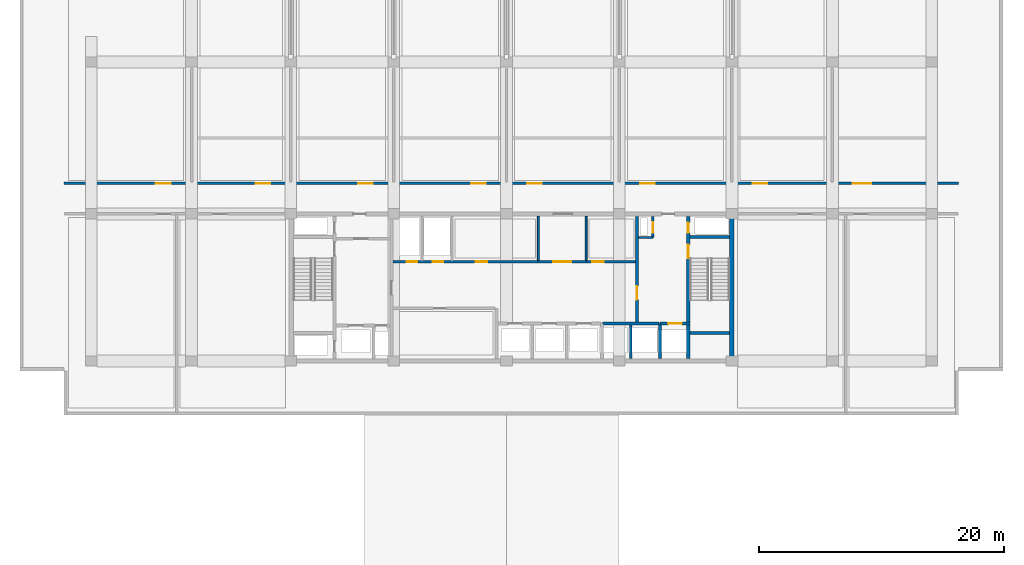
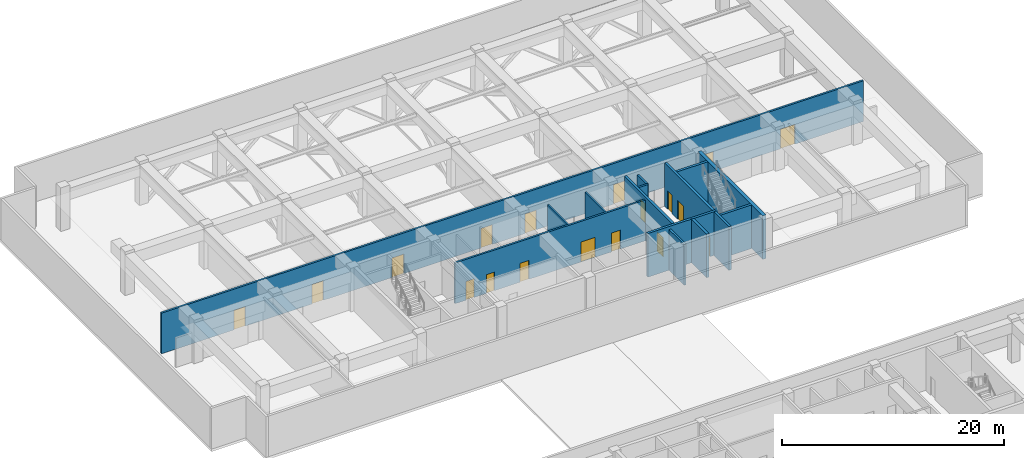
# One storey, part 12 of 22: 18 doors, 15 walls, 18 openings.
"""IFC4 building model written with IfcOpenShell, lengths in metres."""

from ifc_helpers import new_model, si_unit, direction, frame, frame_2d, origin, place, context, subcontext, project, spatial, rectangle, extrude, material, layer, layer_set, type_object, element, fill, save


model = new_model("IFC4")

# Units and contexts
model_context = context("Model", 3, precision=1e-05, world=origin(), true_north=direction((0.0, 1.0)))
body_context = subcontext(model_context, "Body", "Model", "MODEL_VIEW")
ifc_project = project(units=[si_unit("LENGTHUNIT", "METRE"), si_unit("AREAUNIT", "SQUARE_METRE"), si_unit("VOLUMEUNIT", "CUBIC_METRE"), si_unit("PLANEANGLEUNIT", "RADIAN"), si_unit("MASSUNIT", "GRAM", prefix="KILO")], contexts=[model_context])

# Site, building, storey
site_placement = place(None, origin())
site = spatial("IfcSite", under=ifc_project, at=site_placement, CompositionType="ELEMENT")
building_placement = place(site_placement, origin())
building = spatial("IfcBuilding", under=site, at=building_placement, Name="Korimba Cascade Residences", CompositionType="ELEMENT")
storey_placement = place(building_placement, frame((0.0, 0.0, 157.300048828125)))
storey = spatial("IfcBuildingStorey", under=building, at=storey_placement, Name="L45", CompositionType="ELEMENT", Elevation=157.300048828125)

# Walls
ifc_material_1 = material(Name="Concrete C65/80", Category="concrete")
ifc_layer_1 = layer(ifc_material_1, 0.35009765625)
ifc_layer_set_1 = layer_set([ifc_layer_1], Name="Concrete C65/80")
wall_type_1 = type_object("IfcWallType", Name="WAL-CORE-350", PredefinedType="SHEAR", material=ifc_layer_set_1)
wall_1_placement = place(storey_placement, frame((112.074951171875, 55.375, 0.0), z_axis=(0.0, 0.0, 1.0), x_axis=(0.0, 1.0, 0.0)))
element("IfcWall", 1, at=wall_1_placement, inside=storey, type_object=wall_type_1, Name="L45 Core Shear Wall CW-L45-T1-E", PredefinedType="SHEAR", context=body_context, shape_type="SweptSolid", body=[
    extrude(rectangle(XDim=11.64990234375, YDim=0.35009765625, at=frame_2d((5.824951171875, 0.0))), origin(), (0.0, 0.0, 1.0), 4.800048828125),
])
ifc_material_2 = material(Name="Insulated Acoustic Stud Partition", Category="gypsum")
ifc_layer_2 = layer(ifc_material_2, 0.14990234375)
ifc_layer_set_2 = layer_set([ifc_layer_2], Name="Insulated Acoustic Stud Partition")
wall_type_2 = type_object("IfcWallType", Name="WAL-PART-150", PredefinedType="PARTITIONING", material=ifc_layer_set_2)
for number, where, z_axis, x_axis, name in (
    (2, (96.300048828125, 63.39990234375, 0.0), (0.0, 0.0, 1.0), (0.0, 1.0, 0.0), "L45 Partition Wall CW-L45-T1-THW"),
    (3, (100.199951171875, 63.39990234375, 0.0), (0.0, 0.0, 1.0), (0.0, 1.0, 0.0), "L45 Partition Wall CW-L45-T1-THE"),
):
    element("IfcWall", number, at=place(storey_placement, frame(where, z_axis=z_axis, x_axis=x_axis)), inside=storey, type_object=wall_type_2, Name=name, PredefinedType="PARTITIONING", context=body_context, shape_type="SweptSolid", body=[
        extrude(rectangle(XDim=3.60009765625, YDim=0.14990234375, at=frame_2d((1.800048828125, 0.0))), origin(), (0.0, 0.0, 1.0), 4.47998046875),
    ])
ifc_material_3 = material(Name="Concrete C40/50", Category="concrete")
ifc_layer_3 = layer(ifc_material_3, 0.199951171875)
ifc_layer_set_3 = layer_set([ifc_layer_3], Name="Concrete C40/50")
wall_type_3 = type_object("IfcWallType", Name="WAL-PART-200", PredefinedType="PARTITIONING", material=ifc_layer_set_3)
wall_2_placement = place(storey_placement, frame((103.85009765625, 55.39990234375, 0.0), z_axis=(0.0, 0.0, 1.0), x_axis=(0.0, 1.0, 0.0)))
element("IfcWall", 4, at=wall_2_placement, inside=storey, type_object=wall_type_3, Name="L45 Partition Wall CW-L45-T1-B3D1", PredefinedType="PARTITIONING", context=body_context, shape_type="SweptSolid", body=[
    extrude(rectangle(XDim=2.72021484375, YDim=0.199951171875, at=frame_2d((1.360107421875, 0.0))), origin(), (0.0, 0.0, 1.0), 4.47998046875),
])

# Wall, openings, doors
wall_3_placement = place(storey_placement, frame((84.419921875, 63.300048828125, 0.0), z_axis=(0.0, 0.0, 1.0), x_axis=(1.0, 0.0, 0.0)))
wall_3 = element("IfcWall", 5, at=wall_3_placement, inside=storey, type_object=wall_type_3, Name="L45 Partition Wall CW-L45-T1-SRVROW", PredefinedType="PARTITIONING", context=body_context, shape_type="SweptSolid", body=[
    extrude(rectangle(XDim=19.830078125, YDim=0.199951171875, at=frame_2d((9.9150390625, 0.0))), origin(), (0.0, 0.0, 1.0), 4.47998046875),
])
opening_1_placement = place(wall_3_placement, frame((1.14990234375, 0.0, 0.0)))
opening_1 = element("IfcOpeningElement", 6, at=opening_1_placement, cuts=wall_3, Name="Opening D-RS1", PredefinedType="OPENING", context=body_context, shape_type="SweptSolid", body=[
    extrude(rectangle(XDim=0.85009765625, YDim=2.050048828125, at=frame_2d((0.425048828125, 1.02490234375))), frame((0.0, 0.10986328125, 0.0), z_axis=(0.0, -1.0, 0.0), x_axis=(1.0, 0.0, 0.0)), (0.0, 0.0, 1.0), 0.219970703125),
])
opening_2_placement = place(wall_3_placement, frame((3.25, 0.0, 0.0)))
opening_2 = element("IfcOpeningElement", 7, at=opening_2_placement, cuts=wall_3, Name="Opening D-RS1", PredefinedType="OPENING", context=body_context, shape_type="SweptSolid", body=[
    extrude(rectangle(XDim=0.85009765625, YDim=2.050048828125, at=frame_2d((0.425048828125, 1.02490234375))), frame((0.0, 0.10986328125, 0.0), z_axis=(0.0, -1.0, 0.0), x_axis=(1.0, 0.0, 0.0)), (0.0, 0.0, 1.0), 0.219970703125),
])
opening_3_placement = place(wall_3_placement, frame((13.080078125, 0.0, 0.0)))
opening_3 = element("IfcOpeningElement", 8, at=opening_3_placement, cuts=wall_3, Name="Opening D-FD8", PredefinedType="OPENING", context=body_context, shape_type="SweptSolid", body=[
    extrude(rectangle(XDim=1.5, YDim=2.199951171875, at=frame_2d((0.75, 1.10009765625))), frame((0.0, 0.10986328125, 0.0), z_axis=(0.0, -1.0, 0.0), x_axis=(1.0, 0.0, 0.0)), (0.0, 0.0, 1.0), 0.219970703125),
])
opening_4_placement = place(wall_3_placement, frame((6.780029296875, 0.0, 0.0)))
opening_4 = element("IfcOpeningElement", 9, at=opening_4_placement, cuts=wall_3, Name="Opening D-IN1", PredefinedType="OPENING", context=body_context, shape_type="SweptSolid", body=[
    extrude(rectangle(XDim=0.919921875, YDim=2.080078125, at=frame_2d((0.4599609375, 1.0400390625))), frame((0.0, 0.10986328125, 0.0), z_axis=(0.0, -1.0, 0.0), x_axis=(1.0, 0.0, 0.0)), (0.0, 0.0, 1.0), 0.219970703125),
])
opening_5_placement = place(wall_3_placement, frame((16.280029296875, 0.0, 0.0)))
opening_5 = element("IfcOpeningElement", 10, at=opening_5_placement, cuts=wall_3, Name="Opening D-IN1", PredefinedType="OPENING", context=body_context, shape_type="SweptSolid", body=[
    extrude(rectangle(XDim=0.919921875, YDim=2.080078125, at=frame_2d((0.4599609375, 1.0400390625))), frame((0.0, 0.10986328125, 0.0), z_axis=(0.0, -1.0, 0.0), x_axis=(1.0, 0.0, 0.0)), (0.0, 0.0, 1.0), 0.219970703125),
])
ifc_material_4 = material(Name="Fire-Rated Steel Riser Access Door", Category="steel")
door_type_1 = type_object("IfcDoorType", Name="DR-FD60-850", OperationType="NOTDEFINED", PredefinedType="DOOR", material=ifc_material_4)
door_1_placement = place(opening_1_placement, origin())
door_1 = element("IfcDoor", 11, at=door_1_placement, inside=storey, type_object=door_type_1, Name="L45 Electrical Riser Door", OperationType="SINGLE_SWING_LEFT", OverallHeight=2.050048828125, OverallWidth=0.85009765625, PredefinedType="DOOR", context=body_context, shape_type="SweptSolid", body=[
    extrude(rectangle(XDim=0.85009765625, YDim=2.050048828125, at=frame_2d((0.425048828125, 1.02490234375))), frame((0.0, 0.02490234375, 0.0), z_axis=(0.0, -1.0, 0.0), x_axis=(1.0, 0.0, 0.0)), (0.0, 0.0, 1.0), 0.050048828125),
])
fill(opening_1, door_1)
door_2_placement = place(opening_2_placement, origin())
door_2 = element("IfcDoor", 12, at=door_2_placement, inside=storey, type_object=door_type_1, Name="L45 Plumbing Riser Door", OperationType="SINGLE_SWING_RIGHT", OverallHeight=2.050048828125, OverallWidth=0.85009765625, PredefinedType="DOOR", context=body_context, shape_type="SweptSolid", body=[
    extrude(rectangle(XDim=0.85009765625, YDim=2.050048828125, at=frame_2d((0.425048828125, 1.02490234375))), frame((0.0, 0.02490234375, 0.0), z_axis=(0.0, -1.0, 0.0), x_axis=(1.0, 0.0, 0.0)), (0.0, 0.0, 1.0), 0.050048828125),
])
fill(opening_2, door_2)
ifc_material_5 = material(Name="Fire-Rated Glazed Lift Lobby Double Door", Category="glass")
door_type_2 = type_object("IfcDoorType", Name="DR-FD90-1500", OperationType="NOTDEFINED", PredefinedType="DOOR", material=ifc_material_5)
door_3_placement = place(opening_3_placement, origin())
door_3 = element("IfcDoor", 13, at=door_3_placement, inside=storey, type_object=door_type_2, Name="L45 Lift Lobby Foyer Archway Door", OperationType="DOUBLE_DOOR_SINGLE_SWING", OverallHeight=2.199951171875, OverallWidth=1.5, PredefinedType="DOOR", context=body_context, shape_type="SweptSolid", body=[
    extrude(rectangle(XDim=1.5, YDim=2.199951171875, at=frame_2d((0.75, 1.10009765625))), frame((0.0, 0.02490234375, 0.0), z_axis=(0.0, -1.0, 0.0), x_axis=(1.0, 0.0, 0.0)), (0.0, 0.0, 1.0), 0.050048828125),
])
fill(opening_3, door_3)
ifc_material_6 = material(Name="Acoustic Timber Living Door", Category="wood")
door_type_3 = type_object("IfcDoorType", Name="DR-INT-920", OperationType="NOTDEFINED", PredefinedType="DOOR", material=ifc_material_6)
door_4_placement = place(opening_4_placement, origin())
door_4 = element("IfcDoor", 14, at=door_4_placement, inside=storey, type_object=door_type_3, Name="L45 Housekeeping Door", OperationType="SINGLE_SWING_LEFT", OverallHeight=2.080078125, OverallWidth=0.919921875, PredefinedType="DOOR", context=body_context, shape_type="SweptSolid", body=[
    extrude(rectangle(XDim=0.919921875, YDim=2.080078125, at=frame_2d((0.4599609375, 1.0400390625))), frame((0.0, 0.02490234375, 0.0), z_axis=(0.0, -1.0, 0.0), x_axis=(1.0, 0.0, 0.0)), (0.0, 0.0, 1.0), 0.050048828125),
])
fill(opening_4, door_4)
door_5_placement = place(opening_5_placement, origin())
door_5 = element("IfcDoor", 15, at=door_5_placement, inside=storey, type_object=door_type_3, Name="L45 Store Door", OperationType="SINGLE_SWING_RIGHT", OverallHeight=2.080078125, OverallWidth=0.919921875, PredefinedType="DOOR", context=body_context, shape_type="SweptSolid", body=[
    extrude(rectangle(XDim=0.919921875, YDim=2.080078125, at=frame_2d((0.4599609375, 1.0400390625))), frame((0.0, 0.02490234375, 0.0), z_axis=(0.0, -1.0, 0.0), x_axis=(1.0, 0.0, 0.0)), (0.0, 0.0, 1.0), 0.050048828125),
])
fill(opening_5, door_5)

# Wall
wall_4_placement = place(storey_placement, frame((104.449951171875, 65.280029296875, 0.0), z_axis=(0.0, 0.0, 1.0), x_axis=(1.0, 0.0, 0.0)))
element("IfcWall", 16, at=wall_4_placement, inside=storey, type_object=wall_type_3, Name="L45 Partition Wall CW-L45-T1-HYDW2S", PredefinedType="PARTITIONING", context=body_context, shape_type="SweptSolid", body=[
    extrude(rectangle(XDim=1.199951171875, YDim=0.199951171875, at=frame_2d((0.60009765625, 0.0))), origin(), (0.0, 0.0, 1.0), 4.47998046875),
])

# Wall, opening, door
wall_5_placement = place(storey_placement, frame((105.64990234375, 65.280029296875, 0.0), z_axis=(0.0, 0.0, 1.0), x_axis=(0.0, 1.0, 0.0)))
wall_5 = element("IfcWall", 17, at=wall_5_placement, inside=storey, type_object=wall_type_3, Name="L45 Partition Wall CW-L45-T1-HYDW2E", PredefinedType="PARTITIONING", context=body_context, shape_type="SweptSolid", body=[
    extrude(rectangle(XDim=1.719970703125, YDim=0.199951171875, at=frame_2d((0.85986328125, 0.0))), origin(), (0.0, 0.0, 1.0), 4.47998046875),
])
opening_6_placement = place(wall_5_placement, frame((0.39990234375, 0.0, 0.0)))
opening_6 = element("IfcOpeningElement", 18, at=opening_6_placement, cuts=wall_5, Name="Opening D-RS1", PredefinedType="OPENING", context=body_context, shape_type="SweptSolid", body=[
    extrude(rectangle(XDim=0.85009765625, YDim=2.050048828125, at=frame_2d((0.425048828125, 1.02490234375))), frame((0.0, 0.10986328125, 0.0), z_axis=(0.0, -1.0, 0.0), x_axis=(1.0, 0.0, 0.0)), (0.0, 0.0, 1.0), 0.219970703125),
])
door_6_placement = place(opening_6_placement, origin())
door_6 = element("IfcDoor", 19, at=door_6_placement, inside=storey, type_object=door_type_1, Name="L45 East Hydrant Door", OperationType="SINGLE_SWING_LEFT", OverallHeight=2.050048828125, OverallWidth=0.85009765625, PredefinedType="DOOR", context=body_context, shape_type="SweptSolid", body=[
    extrude(rectangle(XDim=0.85009765625, YDim=2.050048828125, at=frame_2d((0.425048828125, 1.02490234375))), frame((0.0, 0.02490234375, 0.0), z_axis=(0.0, -1.0, 0.0), x_axis=(1.0, 0.0, 0.0)), (0.0, 0.0, 1.0), 0.050048828125),
])
fill(opening_6, door_6)

# Wall, openings, doors
wall_6_placement = place(storey_placement, frame((57.60009765625, 69.699951171875, 0.0), z_axis=(0.0, 0.0, 1.0), x_axis=(1.0, 0.0, 0.0)))
wall_6 = element("IfcWall", 20, at=wall_6_placement, inside=storey, type_object=wall_type_3, Name="L45 Partition Wall WAL-L45-T1-PCORN", PredefinedType="PARTITIONING", context=body_context, shape_type="SweptSolid", body=[
    extrude(rectangle(XDim=73.0, YDim=0.199951171875, at=frame_2d((36.5, 0.0))), origin(), (0.0, 0.0, 1.0), 4.47998046875),
])
opening_7_placement = place(wall_6_placement, frame((7.49755859375, 0.0, 0.0)))
opening_7 = element("IfcOpeningElement", 21, at=opening_7_placement, cuts=wall_6, Name="Opening D-FD3", PredefinedType="OPENING", context=body_context, shape_type="SweptSolid", body=[
    extrude(rectangle(XDim=1.199951171875, YDim=2.14990234375, at=frame_2d((0.60009765625, 1.074951171875))), frame((0.0, 0.10986328125, 0.0), z_axis=(0.0, -1.0, 0.0), x_axis=(1.0, 0.0, 0.0)), (0.0, 0.0, 1.0), 0.219970703125),
])
opening_8_placement = place(wall_6_placement, frame((15.620849609375, 0.0, 0.0)))
opening_8 = element("IfcOpeningElement", 22, at=opening_8_placement, cuts=wall_6, Name="Opening D-FD3", PredefinedType="OPENING", context=body_context, shape_type="SweptSolid", body=[
    extrude(rectangle(XDim=1.199951171875, YDim=2.14990234375, at=frame_2d((0.60009765625, 1.074951171875))), frame((0.0, 0.10986328125, 0.0), z_axis=(0.0, -1.0, 0.0), x_axis=(1.0, 0.0, 0.0)), (0.0, 0.0, 1.0), 0.219970703125),
])
opening_9_placement = place(wall_6_placement, frame((23.98486328125, 0.0, 0.0)))
opening_9 = element("IfcOpeningElement", 23, at=opening_9_placement, cuts=wall_6, Name="Opening D-FD3", PredefinedType="OPENING", context=body_context, shape_type="SweptSolid", body=[
    extrude(rectangle(XDim=1.199951171875, YDim=2.14990234375, at=frame_2d((0.60009765625, 1.074951171875))), frame((0.0, 0.10986328125, 0.0), z_axis=(0.0, -1.0, 0.0), x_axis=(1.0, 0.0, 0.0)), (0.0, 0.0, 1.0), 0.219970703125),
])
opening_10_placement = place(wall_6_placement, frame((33.2041015625, 0.0, 0.0)))
opening_10 = element("IfcOpeningElement", 24, at=opening_10_placement, cuts=wall_6, Name="Opening D-FD3", PredefinedType="OPENING", context=body_context, shape_type="SweptSolid", body=[
    extrude(rectangle(XDim=1.199951171875, YDim=2.14990234375, at=frame_2d((0.60009765625, 1.074951171875))), frame((0.0, 0.10986328125, 0.0), z_axis=(0.0, -1.0, 0.0), x_axis=(1.0, 0.0, 0.0)), (0.0, 0.0, 1.0), 0.219970703125),
])
opening_11_placement = place(wall_6_placement, frame((37.7958984375, 0.0, 0.0)))
opening_11 = element("IfcOpeningElement", 25, at=opening_11_placement, cuts=wall_6, Name="Opening D-FD3", PredefinedType="OPENING", context=body_context, shape_type="SweptSolid", body=[
    extrude(rectangle(XDim=1.199951171875, YDim=2.14990234375, at=frame_2d((0.60009765625, 1.074951171875))), frame((0.0, 0.10986328125, 0.0), z_axis=(0.0, -1.0, 0.0), x_axis=(1.0, 0.0, 0.0)), (0.0, 0.0, 1.0), 0.219970703125),
])
opening_12_placement = place(wall_6_placement, frame((46.99609375, 0.0, 0.0)))
opening_12 = element("IfcOpeningElement", 26, at=opening_12_placement, cuts=wall_6, Name="Opening D-FD3", PredefinedType="OPENING", context=body_context, shape_type="SweptSolid", body=[
    extrude(rectangle(XDim=1.199951171875, YDim=2.14990234375, at=frame_2d((0.60009765625, 1.074951171875))), frame((0.0, 0.10986328125, 0.0), z_axis=(0.0, -1.0, 0.0), x_axis=(1.0, 0.0, 0.0)), (0.0, 0.0, 1.0), 0.219970703125),
])
opening_13_placement = place(wall_6_placement, frame((56.191162109375, 0.0, 0.0)))
opening_13 = element("IfcOpeningElement", 27, at=opening_13_placement, cuts=wall_6, Name="Opening D-FD3", PredefinedType="OPENING", context=body_context, shape_type="SweptSolid", body=[
    extrude(rectangle(XDim=1.199951171875, YDim=2.14990234375, at=frame_2d((0.60009765625, 1.074951171875))), frame((0.0, 0.10986328125, 0.0), z_axis=(0.0, -1.0, 0.0), x_axis=(1.0, 0.0, 0.0)), (0.0, 0.0, 1.0), 0.219970703125),
])
opening_14_placement = place(wall_6_placement, frame((64.370361328125, 0.0, 0.0)))
opening_14 = element("IfcOpeningElement", 28, at=opening_14_placement, cuts=wall_6, Name="Opening D-FD4", PredefinedType="OPENING", context=body_context, shape_type="SweptSolid", body=[
    extrude(rectangle(XDim=1.5, YDim=2.179931640625, at=frame_2d((0.75, 1.08984375))), frame((0.0, 0.10986328125, 0.0), z_axis=(0.0, -1.0, 0.0), x_axis=(1.0, 0.0, 0.0)), (0.0, 0.0, 1.0), 0.219970703125),
])
ifc_material_7 = material(Name="Fire-Rated Steel Plant Door", Category="steel")
door_type_4 = type_object("IfcDoorType", Name="DR-FD120-1200", OperationType="NOTDEFINED", PredefinedType="DOOR", material=ifc_material_7)
door_7_placement = place(opening_7_placement, origin())
door_7 = element("IfcDoor", 29, at=door_7_placement, inside=storey, type_object=door_type_4, Name="L45 Chiller Plant Room Door", OperationType="SINGLE_SWING_LEFT", OverallHeight=2.14990234375, OverallWidth=1.199951171875, PredefinedType="DOOR", context=body_context, shape_type="SweptSolid", body=[
    extrude(rectangle(XDim=1.199951171875, YDim=2.14990234375, at=frame_2d((0.60009765625, 1.074951171875))), frame((0.0, 0.02490234375, 0.0), z_axis=(0.0, -1.0, 0.0), x_axis=(1.0, 0.0, 0.0)), (0.0, 0.0, 1.0), 0.050048828125),
])
fill(opening_7, door_7)
door_8_placement = place(opening_8_placement, origin())
door_8 = element("IfcDoor", 30, at=door_8_placement, inside=storey, type_object=door_type_4, Name="L45 Condenser Water Plant Room Door", OperationType="SINGLE_SWING_RIGHT", OverallHeight=2.14990234375, OverallWidth=1.199951171875, PredefinedType="DOOR", context=body_context, shape_type="SweptSolid", body=[
    extrude(rectangle(XDim=1.199951171875, YDim=2.14990234375, at=frame_2d((0.60009765625, 1.074951171875))), frame((0.0, 0.02490234375, 0.0), z_axis=(0.0, -1.0, 0.0), x_axis=(1.0, 0.0, 0.0)), (0.0, 0.0, 1.0), 0.050048828125),
])
fill(opening_8, door_8)
door_9_placement = place(opening_9_placement, origin())
door_9 = element("IfcDoor", 31, at=door_9_placement, inside=storey, type_object=door_type_4, Name="L45 Heat-Recovery AHU Plant Room Door", OperationType="SINGLE_SWING_LEFT", OverallHeight=2.14990234375, OverallWidth=1.199951171875, PredefinedType="DOOR", context=body_context, shape_type="SweptSolid", body=[
    extrude(rectangle(XDim=1.199951171875, YDim=2.14990234375, at=frame_2d((0.60009765625, 1.074951171875))), frame((0.0, 0.02490234375, 0.0), z_axis=(0.0, -1.0, 0.0), x_axis=(1.0, 0.0, 0.0)), (0.0, 0.0, 1.0), 0.050048828125),
])
fill(opening_9, door_9)
door_10_placement = place(opening_10_placement, origin())
door_10 = element("IfcDoor", 32, at=door_10_placement, inside=storey, type_object=door_type_4, Name="L45 Smoke Exhaust Fan Plant Room Door", OperationType="SINGLE_SWING_RIGHT", OverallHeight=2.14990234375, OverallWidth=1.199951171875, PredefinedType="DOOR", context=body_context, shape_type="SweptSolid", body=[
    extrude(rectangle(XDim=1.199951171875, YDim=2.14990234375, at=frame_2d((0.60009765625, 1.074951171875))), frame((0.0, 0.02490234375, 0.0), z_axis=(0.0, -1.0, 0.0), x_axis=(1.0, 0.0, 0.0)), (0.0, 0.0, 1.0), 0.050048828125),
])
fill(opening_10, door_10)
door_11_placement = place(opening_11_placement, origin())
door_11 = element("IfcDoor", 33, at=door_11_placement, inside=storey, type_object=door_type_4, Name="L45 Hydronic Pump Plant Room Door", OperationType="SINGLE_SWING_LEFT", OverallHeight=2.14990234375, OverallWidth=1.199951171875, PredefinedType="DOOR", context=body_context, shape_type="SweptSolid", body=[
    extrude(rectangle(XDim=1.199951171875, YDim=2.14990234375, at=frame_2d((0.60009765625, 1.074951171875))), frame((0.0, 0.02490234375, 0.0), z_axis=(0.0, -1.0, 0.0), x_axis=(1.0, 0.0, 0.0)), (0.0, 0.0, 1.0), 0.050048828125),
])
fill(opening_11, door_11)
door_12_placement = place(opening_12_placement, origin())
door_12 = element("IfcDoor", 34, at=door_12_placement, inside=storey, type_object=door_type_4, Name="L45 Sprinkler Booster Plant Room Door", OperationType="SINGLE_SWING_RIGHT", OverallHeight=2.14990234375, OverallWidth=1.199951171875, PredefinedType="DOOR", context=body_context, shape_type="SweptSolid", body=[
    extrude(rectangle(XDim=1.199951171875, YDim=2.14990234375, at=frame_2d((0.60009765625, 1.074951171875))), frame((0.0, 0.02490234375, 0.0), z_axis=(0.0, -1.0, 0.0), x_axis=(1.0, 0.0, 0.0)), (0.0, 0.0, 1.0), 0.050048828125),
])
fill(opening_12, door_12)
door_13_placement = place(opening_13_placement, origin())
door_13 = element("IfcDoor", 35, at=door_13_placement, inside=storey, type_object=door_type_4, Name="L45 BMS Control Switchroom Plant Door", OperationType="SINGLE_SWING_LEFT", OverallHeight=2.14990234375, OverallWidth=1.199951171875, PredefinedType="DOOR", context=body_context, shape_type="SweptSolid", body=[
    extrude(rectangle(XDim=1.199951171875, YDim=2.14990234375, at=frame_2d((0.60009765625, 1.074951171875))), frame((0.0, 0.02490234375, 0.0), z_axis=(0.0, -1.0, 0.0), x_axis=(1.0, 0.0, 0.0)), (0.0, 0.0, 1.0), 0.050048828125),
])
fill(opening_13, door_13)
ifc_material_8 = material(Name="Fire-Rated Double Steel Refuge Door", Category="steel")
door_type_5 = type_object("IfcDoorType", Name="DR-FD120-1500", OperationType="NOTDEFINED", PredefinedType="DOOR", material=ifc_material_8)
door_14_placement = place(opening_14_placement, origin())
door_14 = element("IfcDoor", 36, at=door_14_placement, inside=storey, type_object=door_type_5, Name="L45 Open-Air Fire Refuge Area Door", OperationType="DOUBLE_DOOR_SINGLE_SWING", OverallHeight=2.179931640625, OverallWidth=1.5, PredefinedType="DOOR", context=body_context, shape_type="SweptSolid", body=[
    extrude(rectangle(XDim=1.5, YDim=2.179931640625, at=frame_2d((0.75, 1.08984375))), frame((0.0, 0.02490234375, 0.0), z_axis=(0.0, -1.0, 0.0), x_axis=(1.0, 0.0, 0.0)), (0.0, 0.0, 1.0), 0.050048828125),
])
fill(opening_14, door_14)

# Walls
ifc_material_9 = material(Name="Concrete C50/60", Category="concrete")
ifc_layer_4 = layer(ifc_material_9, 0.25)
ifc_layer_set_4 = layer_set([ifc_layer_4], Name="Concrete C50/60")
wall_type_4 = type_object("IfcWallType", Name="WAL-SHAFT-250", PredefinedType="SHEAR", material=ifc_layer_set_4)
wall_7_placement = place(storey_placement, frame((101.550048828125, 58.25, 0.0), z_axis=(0.0, 0.0, 1.0), x_axis=(1.0, 0.0, 0.0)))
element("IfcWall", 37, at=wall_7_placement, inside=storey, type_object=wall_type_4, Name="L45 Core Shear Wall CW-L45-T1-B3N", PredefinedType="SHEAR", context=body_context, shape_type="SweptSolid", body=[
    extrude(rectangle(XDim=4.599853515625, YDim=0.25, at=frame_2d((2.2998046875, 0.0))), origin(), (0.0, 0.0, 1.0), 4.800048828125),
])
wall_8_placement = place(storey_placement, frame((106.219970703125, 55.39990234375, 0.0), z_axis=(0.0, 0.0, 1.0), x_axis=(0.0, 1.0, 0.0)))
element("IfcWall", 38, at=wall_8_placement, inside=storey, type_object=wall_type_4, Name="L45 Core Shear Wall CW-L45-T1-FF2W", PredefinedType="SHEAR", context=body_context, shape_type="SweptSolid", body=[
    extrude(rectangle(XDim=2.85009765625, YDim=0.25, at=frame_2d((1.425048828125, 0.0))), origin(), (0.0, 0.0, 1.0), 4.800048828125),
])

# Wall, opening, door
wall_9_placement = place(storey_placement, frame((106.219970703125, 58.25, 0.0), z_axis=(0.0, 0.0, 1.0), x_axis=(1.0, 0.0, 0.0)))
wall_9 = element("IfcWall", 39, at=wall_9_placement, inside=storey, type_object=wall_type_4, Name="L45 Core Shear Wall CW-L45-T1-FF2N", PredefinedType="SHEAR", context=body_context, shape_type="SweptSolid", body=[
    extrude(rectangle(XDim=2.4599609375, YDim=0.25, at=frame_2d((1.22998046875, 0.0))), origin(), (0.0, 0.0, 1.0), 4.800048828125),
])
opening_15_placement = place(wall_9_placement, frame((0.669921875, 0.0, 0.0)))
opening_15 = element("IfcOpeningElement", 40, at=opening_15_placement, cuts=wall_9, Name="Opening LD-01", PredefinedType="OPENING", context=body_context, shape_type="SweptSolid", body=[
    extrude(rectangle(XDim=1.1201171875, YDim=2.1201171875, at=frame_2d((0.56005859375, 1.06005859375))), frame((0.0, 0.135009765625, 0.0), z_axis=(0.0, -1.0, 0.0), x_axis=(1.0, 0.0, 0.0)), (0.0, 0.0, 1.0), 0.27001953125),
])
ifc_material_10 = material(Name="Stainless Steel Lift Landing Sliding Door", Category="steel")
door_type_6 = type_object("IfcDoorType", Name="DR-LIFT-1100", OperationType="NOTDEFINED", PredefinedType="DOOR", material=ifc_material_10)
door_15_placement = place(opening_15_placement, origin())
door_15 = element("IfcDoor", 41, at=door_15_placement, inside=storey, type_object=door_type_6, Name="L45 Firefighting Lift Landing Door FFL-W2", OperationType="SLIDING_TO_RIGHT", OverallHeight=2.1201171875, OverallWidth=1.1201171875, PredefinedType="DOOR", context=body_context, shape_type="SweptSolid", body=[
    extrude(rectangle(XDim=1.1201171875, YDim=2.1201171875, at=frame_2d((0.56005859375, 1.06005859375))), frame((0.0, 0.02490234375, 0.0), z_axis=(0.0, -1.0, 0.0), x_axis=(1.0, 0.0, 0.0)), (0.0, 0.0, 1.0), 0.050048828125),
])
fill(opening_15, door_15)

wall_10_placement = place(storey_placement, frame((104.35009765625, 58.39990234375, 0.0), z_axis=(0.0, 0.0, 1.0), x_axis=(0.0, 1.0, 0.0)))
wall_10 = element("IfcWall", 42, at=wall_10_placement, inside=storey, type_object=wall_type_4, Name="L45 Core Shear Wall CW-L45-T1-LLEV", PredefinedType="SHEAR", context=body_context, shape_type="SweptSolid", body=[
    extrude(rectangle(XDim=8.60009765625, YDim=0.25, at=frame_2d((4.300048828125, 0.0))), origin(), (0.0, 0.0, 1.0), 4.800048828125),
])
opening_16_placement = place(wall_10_placement, frame((1.800048828125, 0.0, 0.0)))
opening_16 = element("IfcOpeningElement", 43, at=opening_16_placement, cuts=wall_10, Name="Opening D-FD1", PredefinedType="OPENING", context=body_context, shape_type="SweptSolid", body=[
    extrude(rectangle(XDim=1.10009765625, YDim=2.10009765625, at=frame_2d((0.550048828125, 1.050048828125))), frame((0.0, 0.135009765625, 0.0), z_axis=(0.0, -1.0, 0.0), x_axis=(1.0, 0.0, 0.0)), (0.0, 0.0, 1.0), 0.27001953125),
])
ifc_material_11 = material(Name="Fire-Rated Steel Core Door", Category="steel")
door_type_7 = type_object("IfcDoorType", Name="DR-FD120-1100", OperationType="NOTDEFINED", PredefinedType="DOOR", material=ifc_material_11)
door_16_placement = place(opening_16_placement, origin())
door_16 = element("IfcDoor", 44, at=door_16_placement, inside=storey, type_object=door_type_7, Name="L45 Lift Lobby to East Firefighting Lobby Door", OperationType="SINGLE_SWING_RIGHT", OverallHeight=2.10009765625, OverallWidth=1.10009765625, PredefinedType="DOOR", context=body_context, shape_type="SweptSolid", body=[
    extrude(rectangle(XDim=1.10009765625, YDim=2.10009765625, at=frame_2d((0.550048828125, 1.050048828125))), frame((0.0, 0.02490234375, 0.0), z_axis=(0.0, -1.0, 0.0), x_axis=(1.0, 0.0, 0.0)), (0.0, 0.0, 1.0), 0.050048828125),
])
fill(opening_16, door_16)

# Wall, openings, doors
wall_11_placement = place(storey_placement, frame((108.534912109375, 55.39990234375, 0.0), z_axis=(0.0, 0.0, 1.0), x_axis=(0.0, 1.0, 0.0)))
wall_11 = element("IfcWall", 45, at=wall_11_placement, inside=storey, type_object=wall_type_4, Name="L45 Core Shear Wall CW-L45-T1-STW2W", PredefinedType="SHEAR", context=body_context, shape_type="SweptSolid", body=[
    extrude(rectangle(XDim=11.60009765625, YDim=0.25, at=frame_2d((5.800048828125, 0.0))), origin(), (0.0, 0.0, 1.0), 4.800048828125),
])
opening_17_placement = place(wall_11_placement, frame((8.199951171875, 0.0, 0.0)))
opening_17 = element("IfcOpeningElement", 46, at=opening_17_placement, cuts=wall_11, Name="Opening D-FD1", PredefinedType="OPENING", context=body_context, shape_type="SweptSolid", body=[
    extrude(rectangle(XDim=1.10009765625, YDim=2.10009765625, at=frame_2d((0.550048828125, 1.050048828125))), frame((0.0, 0.135009765625, 0.0), z_axis=(0.0, -1.0, 0.0), x_axis=(1.0, 0.0, 0.0)), (0.0, 0.0, 1.0), 0.27001953125),
])
opening_18_placement = place(wall_11_placement, frame((10.25, 0.0, 0.0)))
opening_18 = element("IfcOpeningElement", 47, at=opening_18_placement, cuts=wall_11, Name="Opening D-RS1", PredefinedType="OPENING", context=body_context, shape_type="SweptSolid", body=[
    extrude(rectangle(XDim=0.85009765625, YDim=2.050048828125, at=frame_2d((0.425048828125, 1.02490234375))), frame((0.0, 0.135009765625, 0.0), z_axis=(0.0, -1.0, 0.0), x_axis=(1.0, 0.0, 0.0)), (0.0, 0.0, 1.0), 0.27001953125),
])
door_17_placement = place(opening_17_placement, origin())
door_17 = element("IfcDoor", 48, at=door_17_placement, inside=storey, type_object=door_type_7, Name="L45 Fire Stair ST-W2 Door", OperationType="SINGLE_SWING_LEFT", OverallHeight=2.10009765625, OverallWidth=1.10009765625, PredefinedType="DOOR", context=body_context, shape_type="SweptSolid", body=[
    extrude(rectangle(XDim=1.10009765625, YDim=2.10009765625, at=frame_2d((0.550048828125, 1.050048828125))), frame((0.0, 0.02490234375, 0.0), z_axis=(0.0, -1.0, 0.0), x_axis=(1.0, 0.0, 0.0)), (0.0, 0.0, 1.0), 0.050048828125),
])
fill(opening_17, door_17)
door_18_placement = place(opening_18_placement, origin())
door_18 = element("IfcDoor", 49, at=door_18_placement, inside=storey, type_object=door_type_1, Name="L45 East Riser Door", OperationType="SINGLE_SWING_RIGHT", OverallHeight=2.050048828125, OverallWidth=0.85009765625, PredefinedType="DOOR", context=body_context, shape_type="SweptSolid", body=[
    extrude(rectangle(XDim=0.85009765625, YDim=2.050048828125, at=frame_2d((0.425048828125, 1.02490234375))), frame((0.0, 0.02490234375, 0.0), z_axis=(0.0, -1.0, 0.0), x_axis=(1.0, 0.0, 0.0)), (0.0, 0.0, 1.0), 0.050048828125),
])
fill(opening_18, door_18)

# Walls
for number, where, z_axis, x_axis, name in (
    (50, (108.659912109375, 57.47509765625, 0.0), (0.0, 0.0, 1.0), (1.0, 0.0, 0.0), "L45 Core Shear Wall CW-L45-T1-STW2S"),
    (51, (108.659912109375, 65.324951171875, 0.0), (0.0, 0.0, 1.0), (1.0, 0.0, 0.0), "L45 Core Shear Wall CW-L45-T1-STW2N"),
):
    element("IfcWall", number, at=place(storey_placement, frame(where, z_axis=z_axis, x_axis=x_axis)), inside=storey, type_object=wall_type_4, Name=name, PredefinedType="SHEAR", context=body_context, shape_type="SweptSolid", body=[
        extrude(rectangle(XDim=3.239990234375, YDim=0.25, at=frame_2d((1.6201171875, 0.0))), origin(), (0.0, 0.0, 1.0), 4.800048828125),
    ])

save(model, "model.ifc")
